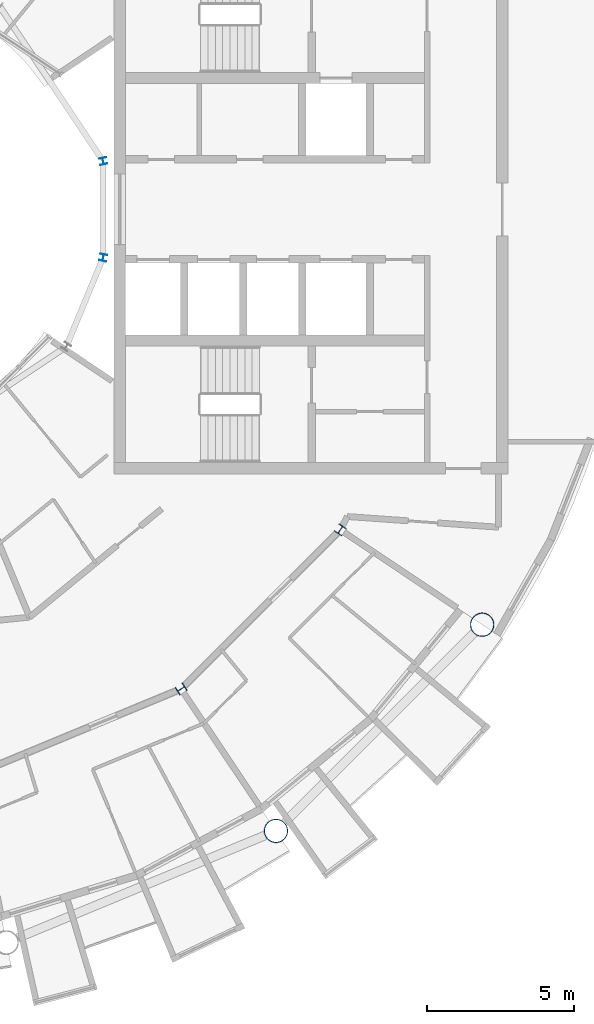
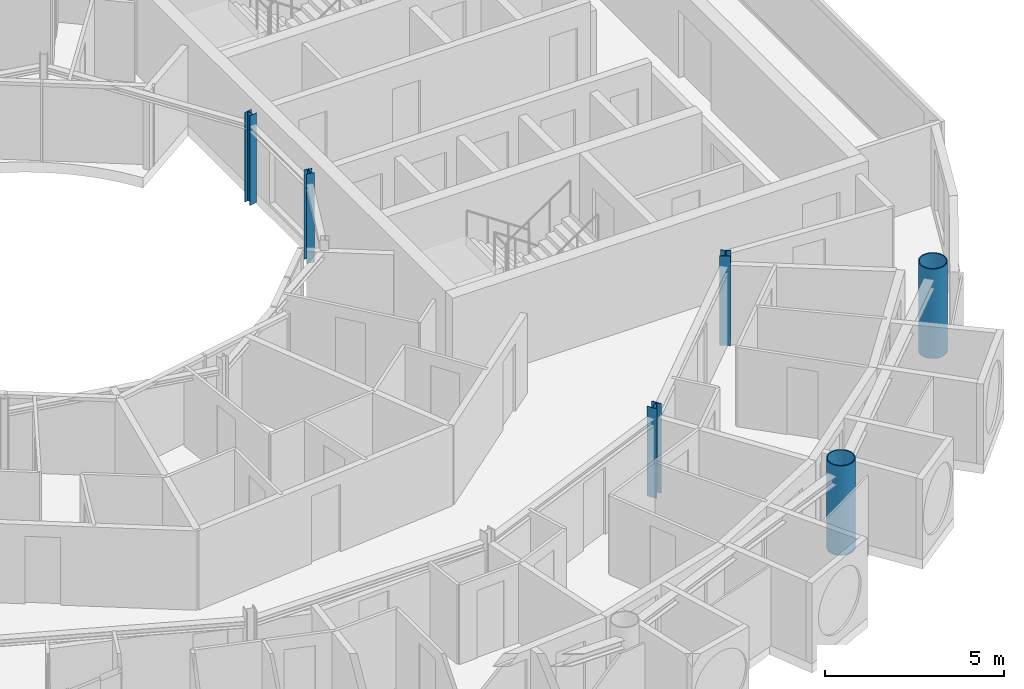
# One storey, part 3 of 27: 6 columns.
"""IFC4 building model written with IfcOpenShell, lengths in metres."""

from ifc_helpers import new_model, si_unit, direction, frame, origin, origin_2d, place, context, subcontext, project, spatial, hollow_circle, i_section, extrude, material, material_profile, profile_set, type_object, element, save


model = new_model("IFC4")

# Units and contexts
model_context = context("Model", 3, precision=1e-05, world=origin(), true_north=direction((0.0, 1.0)))
body_context = subcontext(model_context, "Body", "Model", "MODEL_VIEW")
ifc_project = project(units=[si_unit("LENGTHUNIT", "METRE"), si_unit("AREAUNIT", "SQUARE_METRE"), si_unit("VOLUMEUNIT", "CUBIC_METRE"), si_unit("PLANEANGLEUNIT", "RADIAN"), si_unit("MASSUNIT", "GRAM", prefix="KILO")], contexts=[model_context])

# Site, building, storey
site_placement = place(None, origin())
site = spatial("IfcSite", under=ifc_project, at=site_placement, CompositionType="ELEMENT")
building_placement = place(site_placement, origin())
building = spatial("IfcBuilding", under=site, at=building_placement, Name="Maasbend Ring Residences", CompositionType="ELEMENT")
storey_placement = place(building_placement, frame((0.0, 0.0, 240.14990234375)))
storey = spatial("IfcBuildingStorey", under=building, at=storey_placement, Name="L69", CompositionType="ELEMENT", Elevation=240.14990234375)

# Columns
ifc_material_1 = material(Name="Composite concrete-filled steel tube S460NH / C80/95", Category="concrete")
ifc_material_profile_1 = material_profile(ifc_material_1, hollow_circle(Radius=0.406494140625, WallThickness=0.030029296875, at=origin_2d()), Name="Composite tube column CHS 813x30")
ifc_profile_set_1 = profile_set([ifc_material_profile_1], Name="Composite concrete-filled steel tube S460NH / C80/95")
column_type_1 = type_object("IfcColumnType", Name="Composite tube column CHS 813x30", PredefinedType="COLUMN", material=ifc_profile_set_1)
for number, where, z_axis, x_axis, name in (
    (1, (14.111572265625, -21.119384765625, 0.0), (0.0, 0.0, 1.0), (1.0, 0.0, 0.0), "Outer column R14"),
    (2, (21.119384765625, -14.111572265625, 0.0), (0.0, 0.0, 1.0), (1.0, 0.0, 0.0), "Outer column R15"),
):
    element("IfcColumn", number, at=place(storey_placement, frame(where, z_axis=z_axis, x_axis=x_axis)), inside=storey, type_object=column_type_1, Name=name, PredefinedType="COLUMN", context=body_context, shape_type="SweptSolid", body=[
        extrude(hollow_circle(Radius=0.406494140625, WallThickness=0.030029296875, at=origin_2d()), origin(), (0.0, 0.0, 1.0), 3.050048828125),
    ])
ifc_material_2 = material(Name="Steel S355J2", Category="steel")
ifc_material_profile_2 = material_profile(ifc_material_2, i_section(OverallWidth=0.239990234375, OverallDepth=0.22998046875, WebThickness=0.007568359375, FlangeThickness=0.011962890625, FilletRadius=0.02099609375, at=origin_2d()), Name="HEA 240")
ifc_profile_set_2 = profile_set([ifc_material_profile_2], Name="Steel S355J2")
column_type_2 = type_object("IfcColumnType", Name="Steel column HEA 240", PredefinedType="COLUMN", material=ifc_profile_set_2)
for number, where, z_axis, x_axis, name in (
    (3, (8.238525390625, 1.638916015625, 0.0), (0.0, 0.0, 1.0), (0.980785280403, 0.195090322016, 0.0), "Well ring column R1"),
    (4, (8.238525390625, -1.638916015625, 0.0), (0.0, 0.0, 1.0), (0.980785280403, -0.195090322016, 0.0), "Well ring column R16"),
):
    element("IfcColumn", number, at=place(storey_placement, frame(where, z_axis=z_axis, x_axis=x_axis)), inside=storey, type_object=column_type_2, Name=name, PredefinedType="COLUMN", context=body_context, shape_type="SweptSolid", body=[
        extrude(i_section(OverallWidth=0.239990234375, OverallDepth=0.22998046875, WebThickness=0.007568359375, FlangeThickness=0.011962890625, FilletRadius=0.02099609375, at=origin_2d()), origin(), (0.0, 0.0, 1.0), 3.050048828125),
    ])
ifc_material_3 = material(Name="Steel S355J2", Category="steel")
ifc_material_profile_3 = material_profile(ifc_material_3, i_section(OverallWidth=0.300048828125, OverallDepth=0.300048828125, WebThickness=0.010986328125, FlangeThickness=0.01904296875, FilletRadius=0.027099609375, at=origin_2d()), Name="HEB 300")
ifc_profile_set_3 = profile_set([ifc_material_profile_3], Name="Steel S355J2")
column_type_3 = type_object("IfcColumnType", Name="Steel column HEB 300", PredefinedType="COLUMN", material=ifc_profile_set_3)
for number, where, z_axis, x_axis, name in (
    (5, (10.88916015625, -16.296875, 0.0), (0.0, 0.0, 1.0), (0.55557023302, -0.831469612303, 0.0), "Corridor ring column R14"),
    (6, (16.296875, -10.88916015625, 0.0), (0.0, 0.0, 1.0), (0.831469612303, -0.55557023302, 0.0), "Corridor ring column R15"),
):
    element("IfcColumn", number, at=place(storey_placement, frame(where, z_axis=z_axis, x_axis=x_axis)), inside=storey, type_object=column_type_3, Name=name, PredefinedType="COLUMN", context=body_context, shape_type="SweptSolid", body=[
        extrude(i_section(OverallWidth=0.300048828125, OverallDepth=0.300048828125, WebThickness=0.010986328125, FlangeThickness=0.01904296875, FilletRadius=0.027099609375, at=origin_2d()), origin(), (0.0, 0.0, 1.0), 3.050048828125),
    ])

save(model, "model.ifc")
